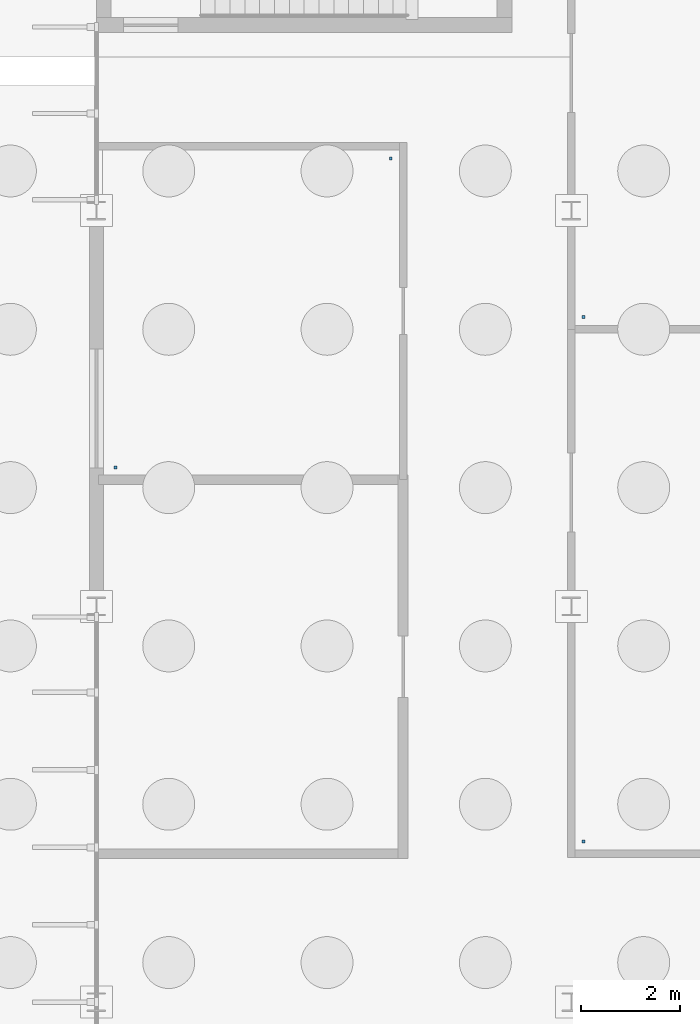
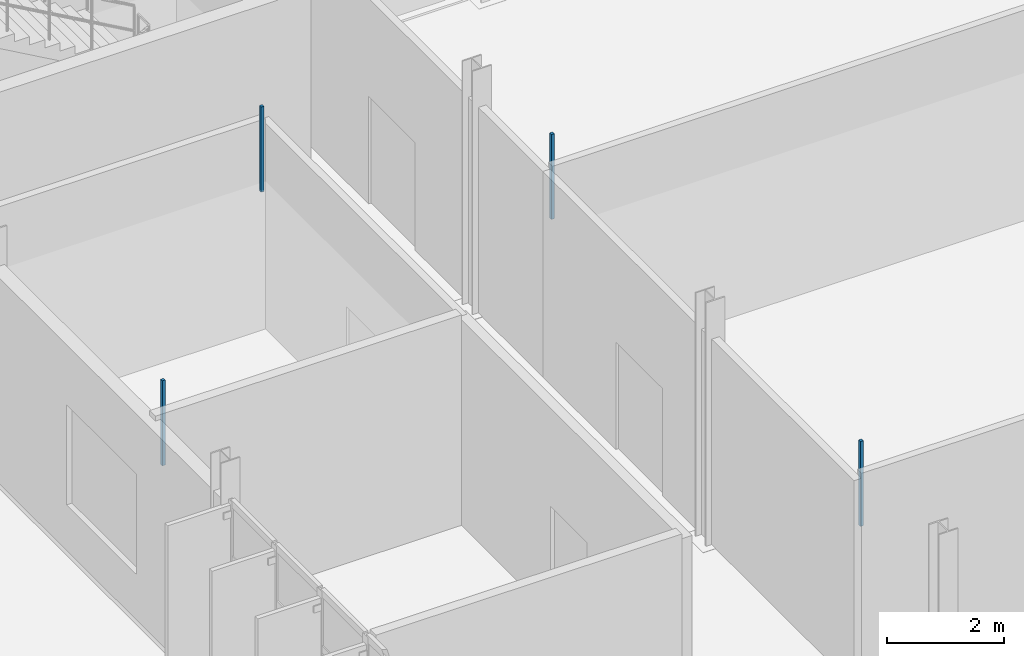
# One storey, part 69 of 111: 4 discrete accessories.
"""IFC4 building model written with IfcOpenShell, lengths in metres."""

from ifc_helpers import new_model, si_unit, direction, frame, origin, place, context, subcontext, project, spatial, polyline, outline, extrude, material, type_object, element, save


model = new_model("IFC4")

# Units and contexts
model_context = context("Model", 3, precision=1e-05, world=origin(), true_north=direction((0.0, 1.0)))
body_context = subcontext(model_context, "Body", "Model", "MODEL_VIEW")
ifc_project = project(units=[si_unit("LENGTHUNIT", "METRE"), si_unit("AREAUNIT", "SQUARE_METRE"), si_unit("VOLUMEUNIT", "CUBIC_METRE"), si_unit("PLANEANGLEUNIT", "RADIAN"), si_unit("MASSUNIT", "GRAM", prefix="KILO")], contexts=[model_context])

# Site, building, storey
site_placement = place(None, origin())
site = spatial("IfcSite", under=ifc_project, at=site_placement, CompositionType="ELEMENT")
building_placement = place(site_placement, origin())
building = spatial("IfcBuilding", under=site, at=building_placement, Name="Dunescarp Central Library", CompositionType="ELEMENT")
storey_placement = place(building_placement, origin())
storey = spatial("IfcBuildingStorey", under=building, at=storey_placement, Name="L00", CompositionType="ELEMENT", Elevation=0.0)

# Discrete accessories
ifc_material = material(Name="Stainless steel Grade 316L", Category="steel")
discrete_accessory_type = type_object("IfcDiscreteAccessoryType", Name="ARC-ACC-BRK", PredefinedType="BRACKET", material=ifc_material)
discrete_accessory_1_placement = place(storey_placement, frame((0.0, 0.0, 3.06005859375)))
element("IfcDiscreteAccessory", 1, at=discrete_accessory_1_placement, inside=storey, type_object=discrete_accessory_type, Name="L00 ceiling hanger CLG-L00-004-H1", PredefinedType="BRACKET", context=body_context, shape_type="SweptSolid", body=[
    extrude(outline(polyline([(0.360107421875, 23.580078125), (0.419921875, 23.580078125), (0.419921875, 23.639892578125), (0.360107421875, 23.639892578125), (0.360107421875, 23.580078125)])), origin(), (0.0, 0.0, 1.0), 1.780029296875),
])
discrete_accessory_2_placement = place(storey_placement, frame((0.0, 0.0, 3.06005859375)))
element("IfcDiscreteAccessory", 2, at=discrete_accessory_2_placement, inside=storey, type_object=discrete_accessory_type, Name="L00 ceiling hanger CLG-L00-004-H2", PredefinedType="BRACKET", context=body_context, shape_type="SweptSolid", body=[
    extrude(outline(polyline([(5.919921875, 29.820068359375), (5.97998046875, 29.820068359375), (5.97998046875, 29.8798828125), (5.919921875, 29.8798828125), (5.919921875, 29.820068359375)])), origin(), (0.0, 0.0, 1.0), 1.780029296875),
])
discrete_accessory_3_placement = place(storey_placement, frame((0.0, 0.0, 3.06005859375)))
element("IfcDiscreteAccessory", 3, at=discrete_accessory_3_placement, inside=storey, type_object=discrete_accessory_type, Name="L00 ceiling hanger CLG-L00-005-H1", PredefinedType="BRACKET", context=body_context, shape_type="SweptSolid", body=[
    extrude(outline(polyline([(9.820068359375, 16.02001953125), (9.8798828125, 16.02001953125), (9.8798828125, 16.080078125), (9.820068359375, 16.080078125), (9.820068359375, 16.02001953125)])), origin(), (0.0, 0.0, 1.0), 1.780029296875),
])
discrete_accessory_4_placement = place(storey_placement, frame((0.0, 0.0, 3.06005859375)))
element("IfcDiscreteAccessory", 4, at=discrete_accessory_4_placement, inside=storey, type_object=discrete_accessory_type, Name="L00 ceiling hanger CLG-L00-006-H1", PredefinedType="BRACKET", context=body_context, shape_type="SweptSolid", body=[
    extrude(outline(polyline([(9.820068359375, 26.6201171875), (9.8798828125, 26.6201171875), (9.8798828125, 26.679931640625), (9.820068359375, 26.679931640625), (9.820068359375, 26.6201171875)])), origin(), (0.0, 0.0, 1.0), 1.780029296875),
])

save(model, "model.ifc")
